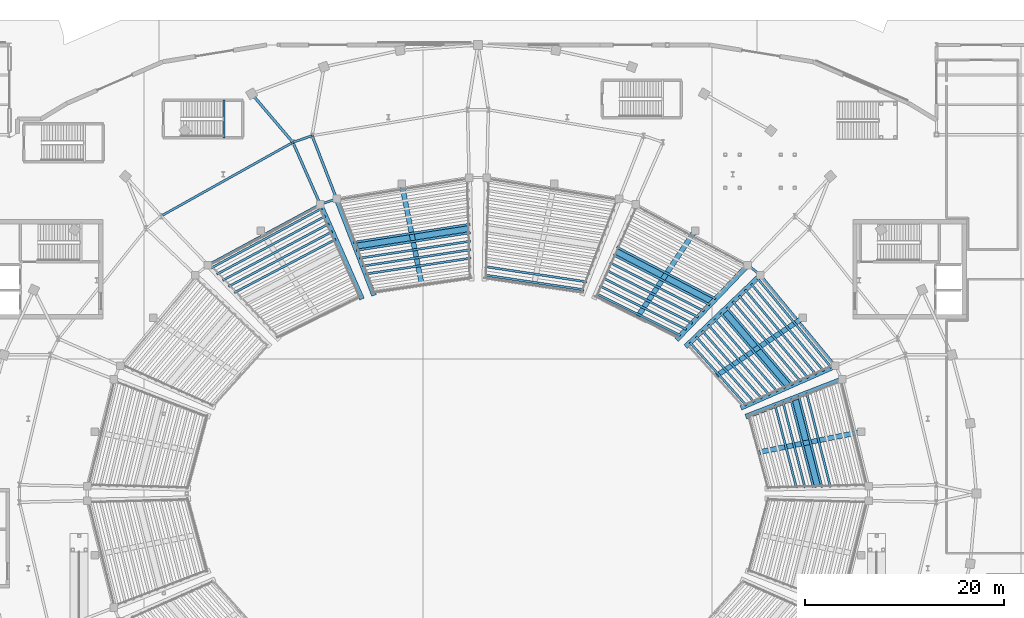
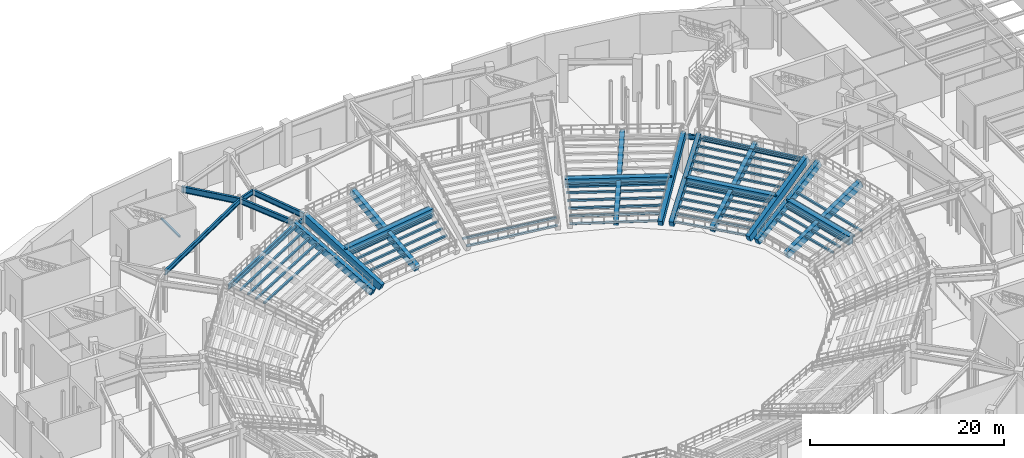
# One storey, part 36 of 79: 60 beams.
"""IFC4 building model written with IfcOpenShell, lengths in metres."""

from ifc_helpers import new_model, si_unit, direction, frame, origin, origin_2d, place, context, subcontext, project, spatial, rectangle, hollow_rectangle, i_section, extrude, material, material_profile, profile_set, type_object, element, save


model = new_model("IFC4")

# Units and contexts
model_context = context("Model", 3, precision=1e-05, world=origin(), true_north=direction((0.0, 1.0)))
body_context = subcontext(model_context, "Body", "Model", "MODEL_VIEW")
ifc_project = project(units=[si_unit("LENGTHUNIT", "METRE"), si_unit("AREAUNIT", "SQUARE_METRE"), si_unit("VOLUMEUNIT", "CUBIC_METRE"), si_unit("PLANEANGLEUNIT", "RADIAN"), si_unit("MASSUNIT", "GRAM", prefix="KILO")], contexts=[model_context])

# Site, building, storey
site_placement = place(None, origin())
site = spatial("IfcSite", under=ifc_project, at=site_placement, CompositionType="ELEMENT")
building_placement = place(site_placement, origin())
building = spatial("IfcBuilding", under=site, at=building_placement, Name="Glasvene Arena", CompositionType="ELEMENT")
storey_placement = place(building_placement, origin())
storey = spatial("IfcBuildingStorey", under=building, at=storey_placement, Name="L00", CompositionType="ELEMENT", Elevation=0.0)

# Beams
ifc_material_1 = material(Name="Steel S355J2", Category="steel")
ifc_material_profile_1 = material_profile(ifc_material_1, i_section(OverallWidth=0.228271484375, OverallDepth=0.607666015625, WebThickness=0.010986328125, FlangeThickness=0.017333984375, FilletRadius=0.0126953125, at=origin_2d()), Name="UKB 610x229x113")
ifc_profile_set_1 = profile_set([ifc_material_profile_1], Name="Steel S355J2")
beam_type_1 = type_object("IfcBeamType", Name="BM-GIRD-610", PredefinedType="BEAM", material=ifc_profile_set_1)
beam_1_placement = place(storey_placement, frame((127.866455078125, 85.79248046875, 4.35009765625), z_axis=(-0.636971685607, 0.770887197802, 0.0), x_axis=(-0.770887197802, -0.636971685607, 0.0)))
element("IfcBeam", 1, at=beam_1_placement, inside=storey, type_object=beam_type_1, Name="Mid-bowl ring girder L00-03", PredefinedType="BEAM", context=body_context, shape_type="SweptSolid", body=[
    extrude(i_section(OverallWidth=0.228271484375, OverallDepth=0.607666015625, WebThickness=0.010986328125, FlangeThickness=0.017333984375, FilletRadius=0.0126953125, at=origin_2d()), origin(), (0.0, 0.0, 1.0), 11.8154296875),
])
beam_2_placement = place(storey_placement, frame((120.34033203125, 94.90087890625, 4.35009765625), z_axis=(-0.77751541262, 0.628863882839, 0.0), x_axis=(-0.628863882839, -0.77751541262, 0.0)))
element("IfcBeam", 2, at=beam_2_placement, inside=storey, type_object=beam_type_1, Name="Mid-bowl ring girder L00-04", PredefinedType="BEAM", context=body_context, shape_type="SweptSolid", body=[
    extrude(i_section(OverallWidth=0.228271484375, OverallDepth=0.607666015625, WebThickness=0.010986328125, FlangeThickness=0.017333984375, FilletRadius=0.0126953125, at=origin_2d()), origin(), (0.0, 0.0, 1.0), 1.61767578125),
])
beam_3_placement = place(storey_placement, frame((75.365234375, 108.89453125, 4.81494140625), z_axis=(-0.944798184006, -0.327652852114, 0.0), x_axis=(0.327652852114, -0.944798184006, 0.0)))
element("IfcBeam", 3, at=beam_3_placement, inside=storey, type_object=beam_type_1, Name="Concourse inner ring girder L00-10", PredefinedType="BEAM", context=body_context, shape_type="SweptSolid", body=[
    extrude(i_section(OverallWidth=0.228271484375, OverallDepth=0.607666015625, WebThickness=0.010986328125, FlangeThickness=0.017333984375, FilletRadius=0.0126953125, at=origin_2d()), origin(), (0.0, 0.0, 1.0), 2.040771484375),
])
beam_4_placement = place(storey_placement, frame((77.82421875, 102.5546875, 4.35009765625), z_axis=(-0.948203248213, -0.317664288326, 0.0), x_axis=(0.317664288326, -0.948203248213, 0.0)))
element("IfcBeam", 4, at=beam_4_placement, inside=storey, type_object=beam_type_1, Name="Mid-bowl ring girder L00-10", PredefinedType="BEAM", context=body_context, shape_type="SweptSolid", body=[
    extrude(i_section(OverallWidth=0.228271484375, OverallDepth=0.607666015625, WebThickness=0.010986328125, FlangeThickness=0.017333984375, FilletRadius=0.0126953125, at=origin_2d()), origin(), (0.0, 0.0, 1.0), 1.733154296875),
])
beam_5_placement = place(storey_placement, frame((73.43701171875, 108.225830078125, 4.81494140625), z_axis=(-0.87279341778, -0.488089796943, 0.0), x_axis=(0.488089796943, -0.87279341778, 0.0)))
element("IfcBeam", 5, at=beam_5_placement, inside=storey, type_object=beam_type_1, Name="Concourse inner ring girder L00-11", PredefinedType="BEAM", context=body_context, shape_type="SweptSolid", body=[
    extrude(i_section(OverallWidth=0.228271484375, OverallDepth=0.607666015625, WebThickness=0.010986328125, FlangeThickness=0.017333984375, FilletRadius=0.0126953125, at=origin_2d()), origin(), (0.0, 0.0, 1.0), 15.14404296875),
])
beam_6_placement = place(storey_placement, frame((76.180908203125, 102.004150390625, 4.35009765625), z_axis=(-0.879784979892, -0.475371843042, 0.0), x_axis=(0.475371843042, -0.879784979892, 0.0)))
element("IfcBeam", 6, at=beam_6_placement, inside=storey, type_object=beam_type_1, Name="Mid-bowl ring girder L00-11", PredefinedType="BEAM", context=body_context, shape_type="SweptSolid", body=[
    extrude(i_section(OverallWidth=0.228271484375, OverallDepth=0.607666015625, WebThickness=0.010986328125, FlangeThickness=0.017333984375, FilletRadius=0.0126953125, at=origin_2d()), origin(), (0.0, 0.0, 1.0), 12.802490234375),
])
ifc_material_profile_2 = material_profile(ifc_material_1, i_section(OverallWidth=0.253662109375, OverallDepth=0.68359375, WebThickness=0.012451171875, FlangeThickness=0.01904296875, FilletRadius=0.01513671875, at=origin_2d()), Name="UKB 686x254x140")
ifc_profile_set_2 = profile_set([ifc_material_profile_2], Name="Steel S355J2")
beam_type_2 = type_object("IfcBeamType", Name="BM-GIRD-686", PredefinedType="BEAM", material=ifc_profile_set_2)
beam_7_placement = place(storey_placement, frame((77.82421875, 102.5546875, 4.7783203125), z_axis=(-0.361614477563, 0.932327715783, 0.0), x_axis=(-0.932327715783, -0.361614477563, 0.0)))
element("IfcBeam", 7, at=beam_7_placement, inside=storey, type_object=beam_type_2, Name="Mid-to-rear radial girder L00-10", PredefinedType="BEAM", context=body_context, shape_type="SweptSolid", body=[
    extrude(i_section(OverallWidth=0.253662109375, OverallDepth=0.68359375, WebThickness=0.012451171875, FlangeThickness=0.01904296875, FilletRadius=0.01513671875, at=origin_2d()), origin(), (0.0, 0.0, 1.0), 6.800048828125),
])
beam_8_placement = place(storey_placement, frame((76.180908203125, 102.004150390625, 4.7783203125), z_axis=(-0.403521754761, 0.914970050567, 0.0), x_axis=(-0.914970050567, -0.403521754761, 0.0)))
element("IfcBeam", 8, at=beam_8_placement, inside=storey, type_object=beam_type_2, Name="Mid-to-rear radial girder L00-11", PredefinedType="BEAM", context=body_context, shape_type="SweptSolid", body=[
    extrude(i_section(OverallWidth=0.253662109375, OverallDepth=0.68359375, WebThickness=0.012451171875, FlangeThickness=0.01904296875, FilletRadius=0.01513671875, at=origin_2d()), origin(), (0.0, 0.0, 1.0), 6.7998046875),
])
ifc_material_profile_3 = material_profile(ifc_material_1, i_section(OverallWidth=0.2666015625, OverallDepth=0.76220703125, WebThickness=0.014404296875, FlangeThickness=0.021484375, FilletRadius=0.0166015625, at=origin_2d()), Name="UKB 762x267x173")
ifc_profile_set_3 = profile_set([ifc_material_profile_3], Name="Steel S355J2")
beam_type_3 = type_object("IfcBeamType", Name="BM-GIRD-762", PredefinedType="BEAM", material=ifc_profile_set_3)
beam_9_placement = place(storey_placement, frame((73.43701171875, 108.225830078125, 4.739013671875), z_axis=(-0.647421006623, 0.762132560768, 0.0), x_axis=(-0.762132560768, -0.647421006623, 0.0)))
element("IfcBeam", 9, at=beam_9_placement, inside=storey, type_object=beam_type_3, Name="Radial concourse girder L00-11", PredefinedType="BEAM", context=body_context, shape_type="SweptSolid", body=[
    extrude(i_section(OverallWidth=0.2666015625, OverallDepth=0.76220703125, WebThickness=0.014404296875, FlangeThickness=0.021484375, FilletRadius=0.0166015625, at=origin_2d()), origin(), (0.0, 0.0, 1.0), 6.38916015625),
])
ifc_material_profile_4 = material_profile(ifc_material_1, hollow_rectangle(XDim=0.199951171875, YDim=0.199951171875, WallThickness=0.010009765625, at=origin_2d()), Name="SHS 200x200x10.0")
ifc_profile_set_4 = profile_set([ifc_material_profile_4], Name="Steel S355J2")
beam_type_4 = type_object("IfcBeamType", Name="BM-LINTEL-200", PredefinedType="LINTEL", material=ifc_profile_set_4)
beam_10_placement = place(storey_placement, frame((66.52001953125, 108.679931640625, 2.3798828125), z_axis=(0.0, 1.0, 0.0), x_axis=(-1.0, 0.0, 0.0)))
element("IfcBeam", 10, at=beam_10_placement, inside=storey, type_object=beam_type_4, Name="Stair half-landing support beam ST-10-L00", PredefinedType="LINTEL", context=body_context, shape_type="SweptSolid", body=[
    extrude(hollow_rectangle(XDim=0.199951171875, YDim=0.199951171875, WallThickness=0.010009765625, at=origin_2d()), origin(), (0.0, 0.0, 1.0), 3.7900390625),
])
ifc_material_2 = material(Name="Precast concrete C50/60", Category="concrete")
ifc_material_profile_5 = material_profile(ifc_material_2, rectangle(XDim=0.5, YDim=0.89990234375, at=origin_2d()), Name="RC 500x900")
ifc_profile_set_5 = profile_set([ifc_material_profile_5], Name="Precast concrete C50/60")
beam_type_5 = type_object("IfcBeamType", Name="BM-RAKER-LOW", PredefinedType="USERDEFINED", material=ifc_profile_set_5)
beam_11_placement = place(storey_placement, frame((120.44287109375, 77.1943359375, 0.27001953125), z_axis=(0.900568413777, 0.179142257436, 0.396086586126), x_axis=(-0.195098768209, 0.980783600313, 0.0)))
element("IfcBeam", 11, at=beam_11_placement, inside=storey, type_object=beam_type_5, Name="Lower bowl raker beam RKL-01-2", ObjectType="RAKER BEAM", PredefinedType="USERDEFINED", context=body_context, shape_type="SweptSolid", body=[
    extrude(rectangle(XDim=0.5, YDim=0.89990234375, at=origin_2d()), origin(), (0.0, 0.0, 1.0), 11.1083984375),
])
for number, where, z_axis, x_axis, name in (
    (12, (119.037353515625, 80.77490234375, 0.2900390625), (0.856077067342, 0.332039749779, 0.396082894528), (-0.361614477563, 0.932327715783, 0.0), "Lower bowl raker beam RKL-01-3"),
    (13, (118.53369140625, 81.67626953125, 0.2900390625), (0.840132416913, 0.370539999193, 0.396077809339), (-0.403542974047, 0.914960692105, 0.0), "Lower bowl raker beam RKL-02-1"),
):
    element("IfcBeam", number, at=place(storey_placement, frame(where, z_axis=z_axis, x_axis=x_axis)), inside=storey, type_object=beam_type_5, Name=name, ObjectType="RAKER BEAM", PredefinedType="USERDEFINED", context=body_context, shape_type="SweptSolid", body=[
        extrude(rectangle(XDim=0.5, YDim=0.89990234375, at=origin_2d()), origin(), (0.0, 0.0, 1.0), 11.108642578125),
    ])
for number, where, z_axis, x_axis, name in (
    (14, (116.112548828125, 84.94482421875, 0.27001953125), (0.763468535615, 0.51012920088, 0.396085841121), (-0.555567096845, 0.831471707819, 0.0), "Lower bowl raker beam RKL-02-2"),
    (15, (112.966064453125, 87.85400390625, 0.2900390625), (0.663843748108, 0.634371327442, 0.39608647669), (-0.690875843477, 0.722973421987, 0.0), "Lower bowl raker beam RKL-02-3"),
):
    element("IfcBeam", number, at=place(storey_placement, frame(where, z_axis=z_axis, x_axis=x_axis)), inside=storey, type_object=beam_type_5, Name=name, ObjectType="RAKER BEAM", PredefinedType="USERDEFINED", context=body_context, shape_type="SweptSolid", body=[
        extrude(rectangle(XDim=0.5, YDim=0.89990234375, at=origin_2d()), origin(), (0.0, 0.0, 1.0), 11.1083984375),
    ])
beam_12_placement = place(storey_placement, frame((112.03564453125, 88.543701171875, 0.2900390625), z_axis=(0.634362072065, 0.663856040355, 0.396080697851), x_axis=(-0.722984846356, 0.690863888142, 0.0)))
element("IfcBeam", 16, at=beam_12_placement, inside=storey, type_object=beam_type_5, Name="Lower bowl raker beam RKL-03-1", ObjectType="RAKER BEAM", PredefinedType="USERDEFINED", context=body_context, shape_type="SweptSolid", body=[
    extrude(rectangle(XDim=0.5, YDim=0.89990234375, at=origin_2d()), origin(), (0.0, 0.0, 1.0), 11.108642578125),
])
for number, where, z_axis, x_axis, name in (
    (17, (108.111572265625, 90.876708984375, 0.27001953125), (0.51012920088, 0.763468535615, 0.396085841121), (-0.831471707819, 0.555567096845, 0.0), "Lower bowl raker beam RKL-03-2"),
    (18, (86.34228515625, 94.0869140625, 0.27001953125), (-0.179120984677, 0.900571959279, 0.396088145503), (-0.980788180126, -0.195075743558, 0.0), "Lower bowl raker beam RKL-05-2"),
):
    element("IfcBeam", number, at=place(storey_placement, frame(where, z_axis=z_axis, x_axis=x_axis)), inside=storey, type_object=beam_type_5, Name=name, ObjectType="RAKER BEAM", PredefinedType="USERDEFINED", context=body_context, shape_type="SweptSolid", body=[
        extrude(rectangle(XDim=0.5, YDim=0.89990234375, at=origin_2d()), origin(), (0.0, 0.0, 1.0), 11.1083984375),
    ])
beam_13_placement = place(storey_placement, frame((81.512939453125, 93.044921875, 0.2900390625), z_axis=(-0.332059304254, 0.856070819995, 0.396080004055), x_axis=(-0.932319645998, -0.361635282691, 0.0)))
element("IfcBeam", 19, at=beam_13_placement, inside=storey, type_object=beam_type_5, Name="Lower bowl raker beam RKL-05-3", ObjectType="RAKER BEAM", PredefinedType="USERDEFINED", context=body_context, shape_type="SweptSolid", body=[
    extrude(rectangle(XDim=0.5, YDim=0.89990234375, at=origin_2d()), origin(), (0.0, 0.0, 1.0), 11.108642578125),
])
beam_14_placement = place(storey_placement, frame((80.297119140625, 92.671630859375, 0.2900390625), z_axis=(-0.370546840935, 0.840125951458, 0.396085122618), x_axis=(-0.914956794247, -0.40355181162, 0.0)))
element("IfcBeam", 20, at=beam_14_placement, inside=storey, type_object=beam_type_5, Name="Lower bowl raker beam RKL-06-1", ObjectType="RAKER BEAM", PredefinedType="USERDEFINED", context=body_context, shape_type="SweptSolid", body=[
    extrude(rectangle(XDim=0.5, YDim=0.89990234375, at=origin_2d()), origin(), (0.0, 0.0, 1.0), 11.1083984375),
])
ifc_material_profile_6 = material_profile(ifc_material_2, rectangle(XDim=0.60009765625, YDim=1.10009765625, at=origin_2d()), Name="RC 600x1100")
ifc_profile_set_6 = profile_set([ifc_material_profile_6], Name="Precast concrete C50/60")
beam_type_6 = type_object("IfcBeamType", Name="BM-RAKER-MID", PredefinedType="USERDEFINED", material=ifc_profile_set_6)
beam_15_placement = place(storey_placement, frame((126.09130859375, 73.603515625, 2.3798828125), z_axis=(-0.247101776882, 0.968989531348, 0.0), x_axis=(-0.968989531348, -0.247101776882, 0.0)))
element("IfcBeam", 21, at=beam_15_placement, inside=storey, type_object=beam_type_6, Name="Lower bowl tie raker beam RKM-01", ObjectType="RAKER BEAM", PredefinedType="USERDEFINED", context=body_context, shape_type="SweptSolid", body=[
    extrude(rectangle(XDim=0.60009765625, YDim=1.10009765625, at=origin_2d()), origin(), (0.0, 0.0, 1.0), 9.30419921875),
])
beam_16_placement = place(storey_placement, frame((123.2001953125, 83.734375, 2.3798828125), z_axis=(-0.650543606183, 0.759468904205, 0.0), x_axis=(-0.759468904205, -0.650543606183, 0.0)))
element("IfcBeam", 22, at=beam_16_placement, inside=storey, type_object=beam_type_6, Name="Lower bowl tie raker beam RKM-02", ObjectType="RAKER BEAM", PredefinedType="USERDEFINED", context=body_context, shape_type="SweptSolid", body=[
    extrude(rectangle(XDim=0.60009765625, YDim=1.10009765625, at=origin_2d()), origin(), (0.0, 0.0, 1.0), 10.063720703125),
])
beam_17_placement = place(storey_placement, frame((115.55908203125, 92.23095703125, 2.3798828125), z_axis=(-0.886774671414, 0.46220199279, 0.0), x_axis=(-0.46220199279, -0.886774671414, 0.0)))
element("IfcBeam", 23, at=beam_17_placement, inside=storey, type_object=beam_type_6, Name="Lower bowl tie raker beam RKM-03", ObjectType="RAKER BEAM", PredefinedType="USERDEFINED", context=body_context, shape_type="SweptSolid", body=[
    extrude(rectangle(XDim=0.60009765625, YDim=1.10009765625, at=origin_2d()), origin(), (0.0, 0.0, 1.0), 11.049072265625),
])
beam_18_placement = place(storey_placement, frame((91.226318359375, 99.59326171875, 2.3798828125), z_axis=(-0.988173467092, -0.153340141303, 0.0), x_axis=(0.153340141303, -0.988173467092, 0.0)))
element("IfcBeam", 24, at=beam_18_placement, inside=storey, type_object=beam_type_6, Name="Lower bowl tie raker beam RKM-05", ObjectType="RAKER BEAM", PredefinedType="USERDEFINED", context=body_context, shape_type="SweptSolid", body=[
    extrude(rectangle(XDim=0.60009765625, YDim=1.10009765625, at=origin_2d()), origin(), (0.0, 0.0, 1.0), 11.696044921875),
])
ifc_material_profile_7 = material_profile(ifc_material_2, rectangle(XDim=0.219970703125, YDim=0.219970703125, at=origin_2d()), Name="RC 220x220")
ifc_profile_set_7 = profile_set([ifc_material_profile_7], Name="Precast concrete C50/60")
beam_type_7 = type_object("IfcBeamType", Name="BM-TIER-BEARER", PredefinedType="BEAM", material=ifc_profile_set_7)
beam_19_placement = place(storey_placement, frame((123.9619140625, 73.55517578125, 1.56494140625), z_axis=(-0.251534579862, 0.967848312048, 0.0), x_axis=(-0.967848312048, -0.251534579862, 0.0)))
element("IfcBeam", 25, at=beam_19_placement, inside=storey, type_object=beam_type_7, Name="Lower tier precast row bearer 01-R04", PredefinedType="BEAM", context=body_context, shape_type="SweptSolid", body=[
    extrude(rectangle(XDim=0.219970703125, YDim=0.219970703125, at=origin_2d()), origin(), (0.0, 0.0, 1.0), 8.569580078125),
])
beam_20_placement = place(storey_placement, frame((124.8115234375, 73.574462890625, 1.945068359375), z_axis=(-0.249665559128, 0.968332127209, 0.0), x_axis=(-0.968332127209, -0.249665559128, 0.0)))
element("IfcBeam", 26, at=beam_20_placement, inside=storey, type_object=beam_type_7, Name="Lower tier precast row bearer 01-R05", PredefinedType="BEAM", context=body_context, shape_type="SweptSolid", body=[
    extrude(rectangle(XDim=0.219970703125, YDim=0.219970703125, at=origin_2d()), origin(), (0.0, 0.0, 1.0), 8.862548828125),
])
beam_21_placement = place(storey_placement, frame((125.661376953125, 73.59375, 2.324951171875), z_axis=(-0.247933940599, 0.968776940838, 0.0), x_axis=(-0.968776940838, -0.247933940599, 0.0)))
element("IfcBeam", 27, at=beam_21_placement, inside=storey, type_object=beam_type_7, Name="Lower tier precast row bearer 01-R06", PredefinedType="BEAM", context=body_context, shape_type="SweptSolid", body=[
    extrude(rectangle(XDim=0.219970703125, YDim=0.219970703125, at=origin_2d()), origin(), (0.0, 0.0, 1.0), 9.15576171875),
])
beam_22_placement = place(storey_placement, frame((126.510986328125, 73.613037109375, 2.705078125), z_axis=(-0.246284836394, 0.969197492445, 0.0), x_axis=(-0.969197492445, -0.246284836394, 0.0)))
element("IfcBeam", 28, at=beam_22_placement, inside=storey, type_object=beam_type_7, Name="Lower tier precast row bearer 01-R07", PredefinedType="BEAM", context=body_context, shape_type="SweptSolid", body=[
    extrude(rectangle(XDim=0.219970703125, YDim=0.219970703125, at=origin_2d()), origin(), (0.0, 0.0, 1.0), 9.448974609375),
])
beam_23_placement = place(storey_placement, frame((127.36083984375, 73.63232421875, 3.0849609375), z_axis=(-0.244751982827, 0.969585719213, 0.0), x_axis=(-0.969585719213, -0.244751982827, 0.0)))
element("IfcBeam", 29, at=beam_23_placement, inside=storey, type_object=beam_type_7, Name="Lower tier precast row bearer 01-R08", PredefinedType="BEAM", context=body_context, shape_type="SweptSolid", body=[
    extrude(rectangle(XDim=0.219970703125, YDim=0.219970703125, at=origin_2d()), origin(), (0.0, 0.0, 1.0), 9.74267578125),
])
beam_24_placement = place(storey_placement, frame((118.918212890625, 81.845703125, 0.425048828125), z_axis=(-0.667653134954, 0.744472492028, 0.0), x_axis=(-0.744472492028, -0.667653134954, 0.0)))
element("IfcBeam", 30, at=beam_24_placement, inside=storey, type_object=beam_type_7, Name="Lower tier precast row bearer 02-R01", PredefinedType="BEAM", context=body_context, shape_type="SweptSolid", body=[
    extrude(rectangle(XDim=0.219970703125, YDim=0.219970703125, at=origin_2d()), origin(), (0.0, 0.0, 1.0), 8.460205078125),
])
beam_25_placement = place(storey_placement, frame((119.69580078125, 82.188720703125, 0.804931640625), z_axis=(-0.664093661904, 0.747649388563, 0.0), x_axis=(-0.747649388563, -0.664093661904, 0.0)))
element("IfcBeam", 31, at=beam_25_placement, inside=storey, type_object=beam_type_7, Name="Lower tier precast row bearer 02-R02", PredefinedType="BEAM", context=body_context, shape_type="SweptSolid", body=[
    extrude(rectangle(XDim=0.219970703125, YDim=0.219970703125, at=origin_2d()), origin(), (0.0, 0.0, 1.0), 8.7509765625),
])
beam_26_placement = place(storey_placement, frame((120.473388671875, 82.53173828125, 1.18505859375), z_axis=(-0.660763009809, 0.750594594217, 0.0), x_axis=(-0.750594594217, -0.660763009809, 0.0)))
element("IfcBeam", 32, at=beam_26_placement, inside=storey, type_object=beam_type_7, Name="Lower tier precast row bearer 02-R03", PredefinedType="BEAM", context=body_context, shape_type="SweptSolid", body=[
    extrude(rectangle(XDim=0.219970703125, YDim=0.219970703125, at=origin_2d()), origin(), (0.0, 0.0, 1.0), 9.0419921875),
])
beam_27_placement = place(storey_placement, frame((121.251220703125, 82.874755859375, 1.56494140625), z_axis=(-0.657630080735, 0.753341009711, 0.0), x_axis=(-0.753341009711, -0.657630080735, 0.0)))
element("IfcBeam", 33, at=beam_27_placement, inside=storey, type_object=beam_type_7, Name="Lower tier precast row bearer 02-R04", PredefinedType="BEAM", context=body_context, shape_type="SweptSolid", body=[
    extrude(rectangle(XDim=0.219970703125, YDim=0.219970703125, at=origin_2d()), origin(), (0.0, 0.0, 1.0), 9.33349609375),
])
beam_28_placement = place(storey_placement, frame((122.029052734375, 83.2177734375, 1.945068359375), z_axis=(-0.654689080051, 0.755898279176, 0.0), x_axis=(-0.755898279176, -0.654689080051, 0.0)))
element("IfcBeam", 34, at=beam_28_placement, inside=storey, type_object=beam_type_7, Name="Lower tier precast row bearer 02-R05", PredefinedType="BEAM", context=body_context, shape_type="SweptSolid", body=[
    extrude(rectangle(XDim=0.219970703125, YDim=0.219970703125, at=origin_2d()), origin(), (0.0, 0.0, 1.0), 9.624755859375),
])
beam_29_placement = place(storey_placement, frame((122.806640625, 83.560791015625, 2.324951171875), z_axis=(-0.651897728646, 0.758306897889, 0.0), x_axis=(-0.758306897889, -0.651897728646, 0.0)))
element("IfcBeam", 35, at=beam_29_placement, inside=storey, type_object=beam_type_7, Name="Lower tier precast row bearer 02-R06", PredefinedType="BEAM", context=body_context, shape_type="SweptSolid", body=[
    extrude(rectangle(XDim=0.219970703125, YDim=0.219970703125, at=origin_2d()), origin(), (0.0, 0.0, 1.0), 9.916259765625),
])
beam_30_placement = place(storey_placement, frame((123.58447265625, 83.90380859375, 2.705078125), z_axis=(-0.649271490682, 0.760556724635, 0.0), x_axis=(-0.760556724635, -0.649271490682, 0.0)))
element("IfcBeam", 36, at=beam_30_placement, inside=storey, type_object=beam_type_7, Name="Lower tier precast row bearer 02-R07", PredefinedType="BEAM", context=body_context, shape_type="SweptSolid", body=[
    extrude(rectangle(XDim=0.219970703125, YDim=0.219970703125, at=origin_2d()), origin(), (0.0, 0.0, 1.0), 10.207763671875),
])
beam_31_placement = place(storey_placement, frame((124.362060546875, 84.246826171875, 3.0849609375), z_axis=(-0.646759064812, 0.762694376591, 0.0), x_axis=(-0.762694376591, -0.646759064812, 0.0)))
element("IfcBeam", 37, at=beam_31_placement, inside=storey, type_object=beam_type_7, Name="Lower tier precast row bearer 02-R08", PredefinedType="BEAM", context=body_context, shape_type="SweptSolid", body=[
    extrude(rectangle(XDim=0.219970703125, YDim=0.219970703125, at=origin_2d()), origin(), (0.0, 0.0, 1.0), 10.499755859375),
])
beam_32_placement = place(storey_placement, frame((125.139892578125, 84.58984375, 3.465087890625), z_axis=(-0.644400439475, 0.764688219867, 0.0), x_axis=(-0.764688219867, -0.644400439475, 0.0)))
element("IfcBeam", 38, at=beam_32_placement, inside=storey, type_object=beam_type_7, Name="Lower tier precast row bearer 02-R09", PredefinedType="BEAM", context=body_context, shape_type="SweptSolid", body=[
    extrude(rectangle(XDim=0.219970703125, YDim=0.219970703125, at=origin_2d()), origin(), (0.0, 0.0, 1.0), 10.79150390625),
])
beam_33_placement = place(storey_placement, frame((125.91748046875, 84.932861328125, 3.844970703125), z_axis=(-0.642136609284, 0.766590226273, 0.0), x_axis=(-0.766590226273, -0.642136609284, 0.0)))
element("IfcBeam", 39, at=beam_33_placement, inside=storey, type_object=beam_type_7, Name="Lower tier precast row bearer 02-R10", PredefinedType="BEAM", context=body_context, shape_type="SweptSolid", body=[
    extrude(rectangle(XDim=0.219970703125, YDim=0.219970703125, at=origin_2d()), origin(), (0.0, 0.0, 1.0), 11.08349609375),
])
beam_34_placement = place(storey_placement, frame((126.6953125, 85.27587890625, 4.22509765625), z_axis=(-0.640007060348, 0.768369027684, 0.0), x_axis=(-0.768369027684, -0.640007060348, 0.0)))
element("IfcBeam", 40, at=beam_34_placement, inside=storey, type_object=beam_type_7, Name="Lower tier precast row bearer 02-R11", PredefinedType="BEAM", context=body_context, shape_type="SweptSolid", body=[
    extrude(rectangle(XDim=0.219970703125, YDim=0.219970703125, at=origin_2d()), origin(), (0.0, 0.0, 1.0), 11.375732421875),
])
beam_35_placement = place(storey_placement, frame((127.472900390625, 85.618896484375, 4.60498046875), z_axis=(-0.637956893012, 0.770072076275, 0.0), x_axis=(-0.770072076275, -0.637956893012, 0.0)))
element("IfcBeam", 41, at=beam_35_placement, inside=storey, type_object=beam_type_7, Name="Lower tier precast row bearer 02-R12", PredefinedType="BEAM", context=body_context, shape_type="SweptSolid", body=[
    extrude(rectangle(XDim=0.219970703125, YDim=0.219970703125, at=origin_2d()), origin(), (0.0, 0.0, 1.0), 11.66796875),
])
beam_36_placement = place(storey_placement, frame((112.32568359375, 88.847412109375, 0.425048828125), z_axis=(-0.895196314229, 0.445672030749, 0.0), x_axis=(-0.445672030749, -0.895196314229, 0.0)))
element("IfcBeam", 42, at=beam_36_placement, inside=storey, type_object=beam_type_7, Name="Lower tier precast row bearer 03-R01", PredefinedType="BEAM", context=body_context, shape_type="SweptSolid", body=[
    extrude(rectangle(XDim=0.219970703125, YDim=0.219970703125, at=origin_2d()), origin(), (0.0, 0.0, 1.0), 9.443115234375),
])
beam_37_placement = place(storey_placement, frame((112.9130859375, 89.4619140625, 0.804931640625), z_axis=(-0.893492276807, 0.449078558034, 0.0), x_axis=(-0.449078558034, -0.893492276807, 0.0)))
element("IfcBeam", 43, at=beam_37_placement, inside=storey, type_object=beam_type_7, Name="Lower tier precast row bearer 03-R02", PredefinedType="BEAM", context=body_context, shape_type="SweptSolid", body=[
    extrude(rectangle(XDim=0.219970703125, YDim=0.219970703125, at=origin_2d()), origin(), (0.0, 0.0, 1.0), 9.734619140625),
])
beam_38_placement = place(storey_placement, frame((113.500244140625, 90.076416015625, 1.18505859375), z_axis=(-0.891860698472, 0.452310175125, 0.0), x_axis=(-0.452310175125, -0.891860698472, 0.0)))
element("IfcBeam", 44, at=beam_38_placement, inside=storey, type_object=beam_type_7, Name="Lower tier precast row bearer 03-R03", PredefinedType="BEAM", context=body_context, shape_type="SweptSolid", body=[
    extrude(rectangle(XDim=0.219970703125, YDim=0.219970703125, at=origin_2d()), origin(), (0.0, 0.0, 1.0), 10.026123046875),
])
beam_39_placement = place(storey_placement, frame((114.08740234375, 90.69091796875, 1.56494140625), z_axis=(-0.890310631504, 0.455353686086, 0.0), x_axis=(-0.455353686086, -0.890310631504, 0.0)))
element("IfcBeam", 45, at=beam_39_placement, inside=storey, type_object=beam_type_7, Name="Lower tier precast row bearer 03-R04", PredefinedType="BEAM", context=body_context, shape_type="SweptSolid", body=[
    extrude(rectangle(XDim=0.219970703125, YDim=0.219970703125, at=origin_2d()), origin(), (0.0, 0.0, 1.0), 10.31787109375),
])
beam_40_placement = place(storey_placement, frame((114.6748046875, 91.305419921875, 1.945068359375), z_axis=(-0.888850467497, 0.458197388065, 0.0), x_axis=(-0.458197388065, -0.888850467497, 0.0)))
element("IfcBeam", 46, at=beam_40_placement, inside=storey, type_object=beam_type_7, Name="Lower tier precast row bearer 03-R05", PredefinedType="BEAM", context=body_context, shape_type="SweptSolid", body=[
    extrude(rectangle(XDim=0.219970703125, YDim=0.219970703125, at=origin_2d()), origin(), (0.0, 0.0, 1.0), 10.609619140625),
])
beam_41_placement = place(storey_placement, frame((115.261962890625, 91.920166015625, 2.324951171875), z_axis=(-0.887455386192, 0.460893629289, 0.0), x_axis=(-0.460893629289, -0.887455386192, 0.0)))
element("IfcBeam", 47, at=beam_41_placement, inside=storey, type_object=beam_type_7, Name="Lower tier precast row bearer 03-R06", PredefinedType="BEAM", context=body_context, shape_type="SweptSolid", body=[
    extrude(rectangle(XDim=0.219970703125, YDim=0.219970703125, at=origin_2d()), origin(), (0.0, 0.0, 1.0), 10.9013671875),
])
beam_42_placement = place(storey_placement, frame((115.849365234375, 92.53466796875, 2.705078125), z_axis=(-0.886130183156, 0.463436401785, 0.0), x_axis=(-0.463436401785, -0.886130183156, 0.0)))
element("IfcBeam", 48, at=beam_42_placement, inside=storey, type_object=beam_type_7, Name="Lower tier precast row bearer 03-R07", PredefinedType="BEAM", context=body_context, shape_type="SweptSolid", body=[
    extrude(rectangle(XDim=0.219970703125, YDim=0.219970703125, at=origin_2d()), origin(), (0.0, 0.0, 1.0), 11.193603515625),
])
beam_43_placement = place(storey_placement, frame((102.638916015625, 93.4365234375, 0.425048828125), z_axis=(-0.989195788791, 0.146600448291, 0.0), x_axis=(-0.146600448291, -0.989195788791, 0.0)))
element("IfcBeam", 49, at=beam_43_placement, inside=storey, type_object=beam_type_7, Name="Lower tier precast row bearer 04-R01", PredefinedType="BEAM", context=body_context, shape_type="SweptSolid", body=[
    extrude(rectangle(XDim=0.219970703125, YDim=0.219970703125, at=origin_2d()), origin(), (0.0, 0.0, 1.0), 10.080322265625),
])
beam_44_placement = place(storey_placement, frame((102.9462890625, 94.22900390625, 0.804931640625), z_axis=(-0.988989629928, 0.147984836708, 0.0), x_axis=(-0.147984836708, -0.988989629928, 0.0)))
element("IfcBeam", 50, at=beam_44_placement, inside=storey, type_object=beam_type_7, Name="Lower tier precast row bearer 04-R02", PredefinedType="BEAM", context=body_context, shape_type="SweptSolid", body=[
    extrude(rectangle(XDim=0.219970703125, YDim=0.219970703125, at=origin_2d()), origin(), (0.0, 0.0, 1.0), 10.373779296875),
])
beam_45_placement = place(storey_placement, frame((91.2939453125, 96.614013671875, 1.18505859375), z_axis=(-0.988793541595, -0.149289423938, 0.0), x_axis=(0.149289423938, -0.988793541595, 0.0)))
element("IfcBeam", 51, at=beam_45_placement, inside=storey, type_object=beam_type_7, Name="Lower tier precast row bearer 05-R03", PredefinedType="BEAM", context=body_context, shape_type="SweptSolid", body=[
    extrude(rectangle(XDim=0.219970703125, YDim=0.219970703125, at=origin_2d()), origin(), (0.0, 0.0, 1.0), 10.66748046875),
])
beam_46_placement = place(storey_placement, frame((91.274658203125, 97.463623046875, 1.56494140625), z_axis=(-0.988608680389, -0.150508727517, 0.0), x_axis=(0.150508727517, -0.988608680389, 0.0)))
element("IfcBeam", 52, at=beam_46_placement, inside=storey, type_object=beam_type_7, Name="Lower tier precast row bearer 05-R04", PredefinedType="BEAM", context=body_context, shape_type="SweptSolid", body=[
    extrude(rectangle(XDim=0.219970703125, YDim=0.219970703125, at=origin_2d()), origin(), (0.0, 0.0, 1.0), 10.96044921875),
])
beam_47_placement = place(storey_placement, frame((91.25537109375, 98.3134765625, 1.945068359375), z_axis=(-0.988429309162, -0.151682236237, 0.0), x_axis=(0.151682236237, -0.988429309162, 0.0)))
element("IfcBeam", 53, at=beam_47_placement, inside=storey, type_object=beam_type_7, Name="Lower tier precast row bearer 05-R05", PredefinedType="BEAM", context=body_context, shape_type="SweptSolid", body=[
    extrude(rectangle(XDim=0.219970703125, YDim=0.219970703125, at=origin_2d()), origin(), (0.0, 0.0, 1.0), 11.25390625),
])
beam_48_placement = place(storey_placement, frame((91.236083984375, 99.163330078125, 2.324951171875), z_axis=(-0.988257766045, -0.1527959026, 0.0), x_axis=(0.1527959026, -0.988257766045, 0.0)))
element("IfcBeam", 54, at=beam_48_placement, inside=storey, type_object=beam_type_7, Name="Lower tier precast row bearer 05-R06", PredefinedType="BEAM", context=body_context, shape_type="SweptSolid", body=[
    extrude(rectangle(XDim=0.219970703125, YDim=0.219970703125, at=origin_2d()), origin(), (0.0, 0.0, 1.0), 11.54736328125),
])
beam_49_placement = place(storey_placement, frame((91.216796875, 100.012939453125, 2.705078125), z_axis=(-0.988097185241, -0.153830921857, 0.0), x_axis=(0.153830921857, -0.988097185241, 0.0)))
element("IfcBeam", 55, at=beam_49_placement, inside=storey, type_object=beam_type_7, Name="Lower tier precast row bearer 05-R07", PredefinedType="BEAM", context=body_context, shape_type="SweptSolid", body=[
    extrude(rectangle(XDim=0.219970703125, YDim=0.219970703125, at=origin_2d()), origin(), (0.0, 0.0, 1.0), 11.841064453125),
])
beam_50_placement = place(storey_placement, frame((77.7265625, 98.5, 3.0849609375), z_axis=(-0.884852277857, -0.465871705914, 0.0), x_axis=(0.465871705914, -0.884852277857, 0.0)))
element("IfcBeam", 56, at=beam_50_placement, inside=storey, type_object=beam_type_7, Name="Lower tier precast row bearer 06-R08", PredefinedType="BEAM", context=body_context, shape_type="SweptSolid", body=[
    extrude(rectangle(XDim=0.219970703125, YDim=0.219970703125, at=origin_2d()), origin(), (0.0, 0.0, 1.0), 11.485595703125),
])
beam_51_placement = place(storey_placement, frame((77.383544921875, 99.277587890625, 3.465087890625), z_axis=(-0.883640135424, -0.46816675562, 0.0), x_axis=(0.46816675562, -0.883640135424, 0.0)))
element("IfcBeam", 57, at=beam_51_placement, inside=storey, type_object=beam_type_7, Name="Lower tier precast row bearer 06-R09", PredefinedType="BEAM", context=body_context, shape_type="SweptSolid", body=[
    extrude(rectangle(XDim=0.219970703125, YDim=0.219970703125, at=origin_2d()), origin(), (0.0, 0.0, 1.0), 11.777587890625),
])
beam_52_placement = place(storey_placement, frame((77.04052734375, 100.055419921875, 3.844970703125), z_axis=(-0.882477211034, -0.470355155181, 0.0), x_axis=(0.470355155181, -0.882477211034, 0.0)))
element("IfcBeam", 58, at=beam_52_placement, inside=storey, type_object=beam_type_7, Name="Lower tier precast row bearer 06-R10", PredefinedType="BEAM", context=body_context, shape_type="SweptSolid", body=[
    extrude(rectangle(XDim=0.219970703125, YDim=0.219970703125, at=origin_2d()), origin(), (0.0, 0.0, 1.0), 12.070068359375),
])
beam_53_placement = place(storey_placement, frame((76.697509765625, 100.8330078125, 4.22509765625), z_axis=(-0.881368087767, -0.472430199994, 0.0), x_axis=(0.472430199994, -0.881368087767, 0.0)))
element("IfcBeam", 59, at=beam_53_placement, inside=storey, type_object=beam_type_7, Name="Lower tier precast row bearer 06-R11", PredefinedType="BEAM", context=body_context, shape_type="SweptSolid", body=[
    extrude(rectangle(XDim=0.219970703125, YDim=0.219970703125, at=origin_2d()), origin(), (0.0, 0.0, 1.0), 12.3623046875),
])
beam_54_placement = place(storey_placement, frame((76.3544921875, 101.61083984375, 4.60498046875), z_axis=(-0.880297585469, -0.474421922994, 0.0), x_axis=(0.474421922994, -0.880297585469, 0.0)))
element("IfcBeam", 60, at=beam_54_placement, inside=storey, type_object=beam_type_7, Name="Lower tier precast row bearer 06-R12", PredefinedType="BEAM", context=body_context, shape_type="SweptSolid", body=[
    extrude(rectangle(XDim=0.219970703125, YDim=0.219970703125, at=origin_2d()), origin(), (0.0, 0.0, 1.0), 12.65478515625),
])

save(model, "model.ifc")
